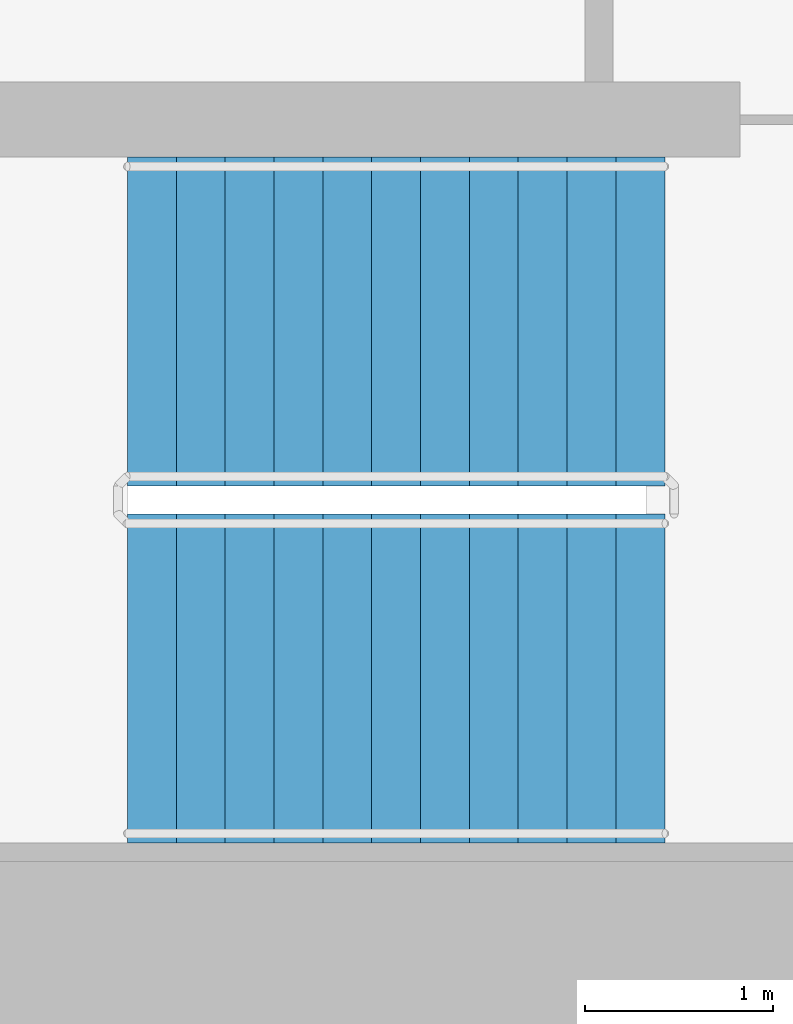
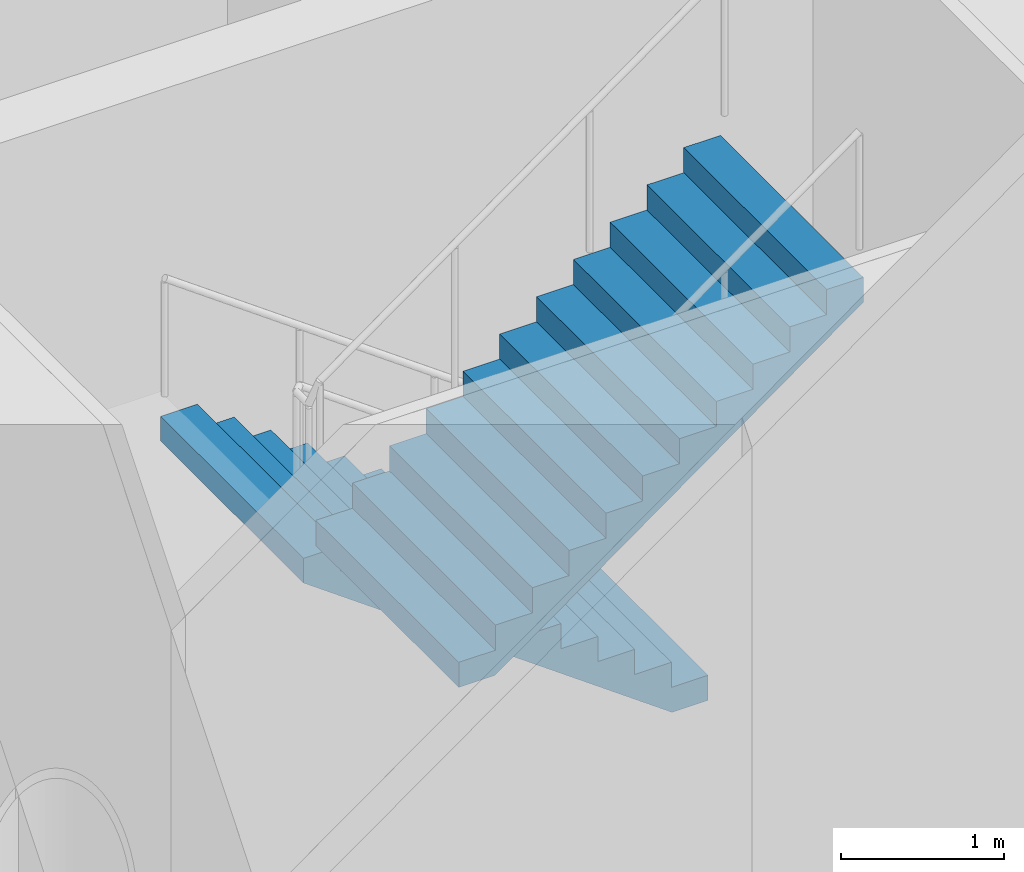
# One storey, part 19 of 27: 2 stair flights, 1 element without a shape of its own.
"""IFC4 building model written with IfcOpenShell, lengths in metres."""

import ifcopenshell
import ifcopenshell.guid

model = None  # the IFC model being written
_history = None  # IfcOwnerHistory: only IFC2X3 demands one
_inside = {}  # id of a spatial element -> (the spatial element, [elements in it])
_under = {}  # id of a project, library or spatial element -> (it, [spatial elements below it])
_declared = {}  # id of a project -> (the project, [libraries it declares])
_typed = {}  # id of a type object -> (the type object, [elements of that type])
_made_of = {}  # id of a material, layer set ... -> (it, [elements and type objects made of it])


def new_model(schema):
    """Start an empty IFC model of exactly this schema.

    Asked for "IFC4X3", IfcOpenShell would pick the latest addendum, in which some entities
    have other attributes; the version numbers below select the first issue.
    IFC2X3 requires an IfcOwnerHistory on every rooted entity: one is made here for all.
    """
    global model, _history
    if schema == "IFC4X3":
        model = ifcopenshell.file(schema_version=(4, 3, 0, 0))
    else:
        model = ifcopenshell.file(schema=schema)
    _inside.clear()
    _under.clear()
    _declared.clear()
    _typed.clear()
    _made_of.clear()
    _history = None
    if model.schema == "IFC2X3":
        org = make("IfcOrganization", Name="unknown")
        user = make(
            "IfcPersonAndOrganization",
            ThePerson=make("IfcPerson", FamilyName="unknown"),
            TheOrganization=org,
        )
        app = make(
            "IfcApplication",
            ApplicationDeveloper=org,
            Version="unknown",
            ApplicationFullName="unknown",
            ApplicationIdentifier="unknown",
        )
        _history = make(
            "IfcOwnerHistory",
            OwningUser=user,
            OwningApplication=app,
            ChangeAction="ADDED",
            CreationDate=0,
        )
    return model


def make(cls, **values):
    """One entity of the class cls with the attributes given. An attribute that is None is left unset."""
    return model.create_entity(
        cls, **{name: value for name, value in values.items() if value is not None}
    )


def rooted(cls, **values):
    """An entity with a GlobalId (a new one), such as an element, a storey or a relation."""
    return make(cls, GlobalId=ifcopenshell.guid.new(), OwnerHistory=_history, **values)


def si_unit(unit_type, name, prefix=None):
    """IfcSIUnit, for example si_unit("LENGTHUNIT", "METRE", prefix="MILLI")."""
    return make("IfcSIUnit", UnitType=unit_type, Prefix=prefix, Name=name)


def assignment(units):
    """IfcUnitAssignment: the units of a project."""
    return None if units is None else make("IfcUnitAssignment", Units=units)


def point(xyz):
    """IfcCartesianPoint."""
    return None if xyz is None else make("IfcCartesianPoint", Coordinates=xyz)


def direction(xyz):
    """IfcDirection."""
    return None if xyz is None else make("IfcDirection", DirectionRatios=xyz)


def frame(location, z_axis=None, x_axis=None):
    """IfcAxis2Placement3D, a coordinate frame: its origin and axes. An axis left out is left unset."""
    return make(
        "IfcAxis2Placement3D",
        Location=point(location),
        Axis=direction(z_axis),
        RefDirection=direction(x_axis),
    )


def origin():
    """The frame at (0, 0, 0) with its axes left unset."""
    return frame((0.0, 0.0, 0.0))


def place(relative_to, where):
    """IfcLocalPlacement: puts the frame where relative to a parent placement (None: the world)."""
    return make(
        "IfcLocalPlacement", PlacementRelTo=relative_to, RelativePlacement=where
    )


def context(
    kind, dimensions, precision=None, world=None, true_north=None, identifier=None
):
    """IfcGeometricRepresentationContext, for example the 3D "Model" context."""
    return make(
        "IfcGeometricRepresentationContext",
        ContextIdentifier=identifier,
        ContextType=kind,
        CoordinateSpaceDimension=dimensions,
        Precision=precision,
        WorldCoordinateSystem=world,
        TrueNorth=true_north,
    )


def subcontext(parent, identifier, kind, view, scale=None):
    """IfcGeometricRepresentationSubContext, for example "Body" below "Model"."""
    return make(
        "IfcGeometricRepresentationSubContext",
        ContextIdentifier=identifier,
        ContextType=kind,
        ParentContext=parent,
        TargetScale=scale,
        TargetView=view,
    )


def project(units=None, contexts=None):
    """IfcProject with its units and contexts."""
    return rooted(
        "IfcProject",
        Name="project",
        RepresentationContexts=contexts,
        UnitsInContext=assignment(units),
    )


def spatial(cls, under=None, at=None, **own):
    """A site, building, storey or space (cls), placed at a placement, below another one or the project."""
    s = rooted(cls, ObjectPlacement=at, **own)
    if under is not None:
        _under.setdefault(under.id(), (under, []))[1].append(s)
    return s


def faces_of(points, faces, orient=None, outer=None):
    """IfcFace entities. A face is a list of loops; a loop is a list of indices into points, from 0.

    orient and outer hold one flag for each loop. By default every Orientation is true, the
    first loop of a face is its IfcFaceOuterBound and the others are IfcFaceBound.
    """
    made = []
    for i, loops in enumerate(faces):
        bounds = []
        for j, loop in enumerate(loops):
            is_outer = j == 0 if outer is None else outer[i][j]
            bounds.append(
                make(
                    "IfcFaceOuterBound" if is_outer else "IfcFaceBound",
                    Bound=make("IfcPolyLoop", Polygon=[points[k] for k in loop]),
                    Orientation=True if orient is None else orient[i][j],
                )
            )
        made.append(make("IfcFace", Bounds=bounds))
    return made


def faceted_brep(points, faces, orient=None, outer=None, voids=None):
    """IfcFacetedBrep: a solid bounded by flat faces; with voids (closed shells), ...WithVoids."""
    shared = [point(p) for p in points]
    hull = make("IfcClosedShell", CfsFaces=faces_of(shared, faces, orient, outer))
    if voids is None:
        return make("IfcFacetedBrep", Outer=hull)
    return make(
        "IfcFacetedBrepWithVoids",
        Outer=hull,
        Voids=[
            make(cls, CfsFaces=faces_of(shared, fs, o, b)) for cls, fs, o, b in voids
        ],
    )


def shape(context_of_items, identifier, shape_type, items):
    """IfcShapeRepresentation: the items that make up one representation, for example the "Body"."""
    return make(
        "IfcShapeRepresentation",
        ContextOfItems=context_of_items,
        RepresentationIdentifier=identifier,
        RepresentationType=shape_type,
        Items=items,
    )


def material(Name=None, Category=None):
    """IfcMaterial."""
    return make("IfcMaterial", Name=Name, Category=Category)


def made_of(thing, what):
    """Note that an element or type object is made of a material, layer set ...; save() writes the relation."""
    if what is not None:
        _made_of.setdefault(what.id(), (what, []))[1].append(thing)
    return thing


def type_object(cls, material=None, **own):
    """A type object (cls), such as IfcWallType, which elements share."""
    return made_of(rooted(cls, **own), material)


def element(
    cls,
    number,
    at=None,
    inside=None,
    cuts=None,
    type_object=None,
    material=None,
    context=None,
    identifier="Body",
    shape_type=None,
    held_by="IfcProductDefinitionShape",
    body=None,
    shapes=None,
    **own,
):
    """One element of the class cls, such as IfcWall. Its Tag is "e" and its number.

    at: its placement. inside: the storey or other place that contains it. cuts: it is an
    opening in that element (IfcRelVoidsElement). A single representation is given by context,
    identifier, shape_type and body (its items); several are given by shapes. held_by: the class
    of the entity that holds the representations. save() writes the other relations.
    """
    e = rooted(cls, Tag="e%d" % number, ObjectPlacement=at, **own)
    if body is not None:
        shapes = [shape(context, identifier, shape_type, body)]
    if shapes is not None:
        e.Representation = make(held_by, Representations=shapes)
    if inside is not None:
        _inside.setdefault(inside.id(), (inside, []))[1].append(e)
    if cuts is not None:
        rooted(
            "IfcRelVoidsElement", RelatingBuildingElement=cuts, RelatedOpeningElement=e
        )
    if type_object is not None:
        _typed.setdefault(type_object.id(), (type_object, []))[1].append(e)
    return made_of(e, material)


def aggregate(whole, parts):
    """IfcRelAggregates: a whole, such as a stair, and the parts it consists of."""
    return rooted("IfcRelAggregates", RelatingObject=whole, RelatedObjects=parts)


def save(model, path):
    """Write the relations noted so far, then the file.

    IfcRelAggregates (storeys below a building ...), IfcRelContainedInSpatialStructure (elements
    in a storey), IfcRelDefinesByType, IfcRelAssociatesMaterial and IfcRelDeclares: one each for
    every whole, place, type object, material and project.
    """
    for whole, parts in _under.values():
        aggregate(whole, parts)
    for where, things in _inside.values():
        rooted(
            "IfcRelContainedInSpatialStructure",
            RelatedElements=things,
            RelatingStructure=where,
        )
    for kind, things in _typed.values():
        rooted("IfcRelDefinesByType", RelatedObjects=things, RelatingType=kind)
    for what, things in _made_of.values():
        rooted("IfcRelAssociatesMaterial", RelatedObjects=things, RelatingMaterial=what)
    for by, libraries in _declared.values():
        rooted("IfcRelDeclares", RelatingContext=by, RelatedDefinitions=libraries)
    model.write(path)


model = new_model("IFC4")

# Units and contexts
model_context = context("Model", 3, precision=1e-05, world=origin(), true_north=direction((0.0, 1.0)))
body_context = subcontext(model_context, "Body", "Model", "MODEL_VIEW")
ifc_project = project(units=[si_unit("LENGTHUNIT", "METRE"), si_unit("AREAUNIT", "SQUARE_METRE"), si_unit("VOLUMEUNIT", "CUBIC_METRE"), si_unit("PLANEANGLEUNIT", "RADIAN"), si_unit("MASSUNIT", "GRAM", prefix="KILO")], contexts=[model_context])

# Site, building, storey
site_placement = place(None, origin())
site = spatial("IfcSite", under=ifc_project, at=site_placement, CompositionType="ELEMENT")
building_placement = place(site_placement, origin())
building = spatial("IfcBuilding", under=site, at=building_placement, Name="Ipe Terrace Towers", CompositionType="ELEMENT")
storey_placement = place(building_placement, frame((0.0, 0.0, 72.10009765625)))
storey = spatial("IfcBuildingStorey", under=building, at=storey_placement, Name="L19", CompositionType="ELEMENT", Elevation=72.10009765625)

# Stair, stair flights
ifc_material_1 = material(Name="Concrete C30/37", Category="concrete")
stair_type = type_object("IfcStairType", Name="Protected exit stair", PredefinedType="HALF_TURN_STAIR", material=ifc_material_1)
stair_placement = place(storey_placement, origin())
stair = element("IfcStair", 1, at=stair_placement, inside=storey, type_object=stair_type, Name="L19 Exit stair T1-C2", PredefinedType="HALF_TURN_STAIR")
ifc_material_2 = material(Name="Concrete C30/37", Category="concrete")
stair_flight_type = type_object("IfcStairFlightType", Name="Exit stair flight 1750", PredefinedType="STRAIGHT", material=ifc_material_2)
stair_flight_1_placement = place(storey_placement, frame((-45.699951171875, -2.77490234375, 0.0), z_axis=(0.0, 0.0, 1.0), x_axis=(-1.0, 0.0, 0.0)))
stair_flight_1 = element("IfcStairFlight", 2, at=stair_flight_1_placement, type_object=stair_flight_type, Name="T1-ST2 flight 1", NumberOfRisers=12, NumberOfTreads=11, PredefinedType="STRAIGHT", RiserHeight=0.1875, TreadLength=0.26, context=body_context, shape_type="Brep", body=[
    faceted_brep([(0.25634765625, -0.875, 0.0), (2.860107421875, -0.875, 1.877685546875), (2.860107421875, -0.875, 2.0625), (2.60009765625, -0.875, 2.0625), (2.60009765625, -0.875, 1.875), (2.340087890625, -0.875, 1.875), (2.340087890625, -0.875, 1.6875), (2.080078125, -0.875, 1.6875), (2.080078125, -0.875, 1.5), (1.820068359375, -0.875, 1.5), (1.820068359375, -0.875, 1.3125), (1.56005859375, -0.875, 1.3125), (1.56005859375, -0.875, 1.125), (1.300048828125, -0.875, 1.125), (1.300048828125, -0.875, 0.9375), (1.0400390625, -0.875, 0.9375), (1.0400390625, -0.875, 0.75), (0.780029296875, -0.875, 0.75), (0.780029296875, -0.875, 0.5625), (0.52001953125, -0.875, 0.5625), (0.52001953125, -0.875, 0.375), (0.260009765625, -0.875, 0.375), (0.260009765625, -0.875, 0.1875), (0.0, -0.875, 0.1875), (0.0, -0.875, 0.0), (0.0, 0.875, 0.0), (0.0, 0.875, 0.1875), (0.260009765625, 0.875, 0.1875), (0.260009765625, 0.875, 0.375), (0.52001953125, 0.875, 0.375), (0.52001953125, 0.875, 0.5625), (0.780029296875, 0.875, 0.5625), (0.780029296875, 0.875, 0.75), (1.0400390625, 0.875, 0.75), (1.0400390625, 0.875, 0.9375), (1.300048828125, 0.875, 0.9375), (1.300048828125, 0.875, 1.125), (1.56005859375, 0.875, 1.125), (1.56005859375, 0.875, 1.3125), (1.820068359375, 0.875, 1.3125), (1.820068359375, 0.875, 1.5), (2.080078125, 0.875, 1.5), (2.080078125, 0.875, 1.6875), (2.340087890625, 0.875, 1.6875), (2.340087890625, 0.875, 1.875), (2.60009765625, 0.875, 1.875), (2.60009765625, 0.875, 2.0625), (2.860107421875, 0.875, 2.0625), (2.860107421875, 0.875, 1.877685546875), (0.25634765625, 0.875, 0.0), (0.0, -0.300048828125, 0.1875), (0.0, -0.1201171875, 0.1875), (0.0, -0.06005859375, 0.1875), (0.0, -0.030029296875, 0.1875), (0.0, -0.010009765625, 0.1875), (0.0, 0.0, 0.1875), (0.0, 0.010009765625, 0.1875), (0.0, 0.030029296875, 0.1875), (0.0, 0.06005859375, 0.1875), (0.0, 0.1201171875, 0.1875), (0.0, 0.300048828125, 0.1875), (0.0, 0.300048828125, 0.0), (0.0, 0.1201171875, 0.0), (0.0, 0.06005859375, 0.0), (0.0, 0.030029296875, 0.0), (0.0, 0.010009765625, 0.0), (0.0, 0.0, 0.0), (0.0, -0.010009765625, 0.0), (0.0, -0.030029296875, 0.0), (0.0, -0.06005859375, 0.0), (0.0, -0.1201171875, 0.0), (0.0, -0.300048828125, 0.0), (0.260009765625, -0.300048828125, 0.1875), (0.260009765625, -0.1201171875, 0.1875), (0.260009765625, -0.06005859375, 0.1875), (0.260009765625, -0.030029296875, 0.1875), (0.260009765625, -0.010009765625, 0.1875), (0.260009765625, 0.0, 0.1875), (0.260009765625, 0.010009765625, 0.1875), (0.260009765625, 0.030029296875, 0.1875), (0.260009765625, 0.06005859375, 0.1875), (0.260009765625, 0.1201171875, 0.1875), (0.260009765625, 0.300048828125, 0.1875), (0.260009765625, -0.300048828125, 0.375), (0.260009765625, -0.1201171875, 0.375), (0.260009765625, -0.06005859375, 0.375), (0.260009765625, -0.030029296875, 0.375), (0.260009765625, -0.010009765625, 0.375), (0.260009765625, 0.0, 0.375), (0.260009765625, 0.010009765625, 0.375), (0.260009765625, 0.030029296875, 0.375), (0.260009765625, 0.06005859375, 0.375), (0.260009765625, 0.1201171875, 0.375), (0.260009765625, 0.300048828125, 0.375), (0.52001953125, -0.300048828125, 0.375), (0.52001953125, -0.1201171875, 0.375), (0.52001953125, -0.06005859375, 0.375), (0.52001953125, -0.030029296875, 0.375), (0.52001953125, -0.010009765625, 0.375), (0.52001953125, 0.0, 0.375), (0.52001953125, 0.010009765625, 0.375), (0.52001953125, 0.030029296875, 0.375), (0.52001953125, 0.06005859375, 0.375), (0.52001953125, 0.1201171875, 0.375), (0.52001953125, 0.300048828125, 0.375), (0.52001953125, -0.300048828125, 0.5625), (0.52001953125, -0.1201171875, 0.5625), (0.52001953125, -0.06005859375, 0.5625), (0.52001953125, -0.030029296875, 0.5625), (0.52001953125, -0.010009765625, 0.5625), (0.52001953125, 0.0, 0.5625), (0.52001953125, 0.010009765625, 0.5625), (0.52001953125, 0.030029296875, 0.5625), (0.52001953125, 0.06005859375, 0.5625), (0.52001953125, 0.1201171875, 0.5625), (0.52001953125, 0.300048828125, 0.5625), (0.780029296875, -0.300048828125, 0.5625), (0.780029296875, -0.1201171875, 0.5625), (0.780029296875, -0.06005859375, 0.5625), (0.780029296875, -0.030029296875, 0.5625), (0.780029296875, -0.010009765625, 0.5625), (0.780029296875, 0.0, 0.5625), (0.780029296875, 0.010009765625, 0.5625), (0.780029296875, 0.030029296875, 0.5625), (0.780029296875, 0.06005859375, 0.5625), (0.780029296875, 0.1201171875, 0.5625), (0.780029296875, 0.300048828125, 0.5625), (0.780029296875, -0.300048828125, 0.75), (0.780029296875, -0.1201171875, 0.75), (0.780029296875, -0.06005859375, 0.75), (0.780029296875, -0.030029296875, 0.75), (0.780029296875, -0.010009765625, 0.75), (0.780029296875, 0.0, 0.75), (0.780029296875, 0.010009765625, 0.75), (0.780029296875, 0.030029296875, 0.75), (0.780029296875, 0.06005859375, 0.75), (0.780029296875, 0.1201171875, 0.75), (0.780029296875, 0.300048828125, 0.75), (1.0400390625, -0.300048828125, 0.75), (1.0400390625, -0.1201171875, 0.75), (1.0400390625, -0.06005859375, 0.75), (1.0400390625, -0.030029296875, 0.75), (1.0400390625, -0.010009765625, 0.75), (1.0400390625, 0.0, 0.75), (1.0400390625, 0.010009765625, 0.75), (1.0400390625, 0.030029296875, 0.75), (1.0400390625, 0.06005859375, 0.75), (1.0400390625, 0.1201171875, 0.75), (1.0400390625, 0.300048828125, 0.75), (1.0400390625, -0.300048828125, 0.9375), (1.0400390625, -0.1201171875, 0.9375), (1.0400390625, -0.06005859375, 0.9375), (1.0400390625, -0.030029296875, 0.9375), (1.0400390625, -0.010009765625, 0.9375), (1.0400390625, 0.0, 0.9375), (1.0400390625, 0.010009765625, 0.9375), (1.0400390625, 0.030029296875, 0.9375), (1.0400390625, 0.06005859375, 0.9375), (1.0400390625, 0.1201171875, 0.9375), (1.0400390625, 0.300048828125, 0.9375), (1.300048828125, -0.300048828125, 0.9375), (1.300048828125, -0.1201171875, 0.9375), (1.300048828125, -0.06005859375, 0.9375), (1.300048828125, -0.030029296875, 0.9375), (1.300048828125, -0.010009765625, 0.9375), (1.300048828125, 0.0, 0.9375), (1.300048828125, 0.010009765625, 0.9375), (1.300048828125, 0.030029296875, 0.9375), (1.300048828125, 0.06005859375, 0.9375), (1.300048828125, 0.1201171875, 0.9375), (1.300048828125, 0.300048828125, 0.9375), (1.300048828125, -0.300048828125, 1.125), (1.300048828125, -0.1201171875, 1.125), (1.300048828125, -0.06005859375, 1.125), (1.300048828125, -0.030029296875, 1.125), (1.300048828125, -0.010009765625, 1.125), (1.300048828125, 0.0, 1.125), (1.300048828125, 0.010009765625, 1.125), (1.300048828125, 0.030029296875, 1.125), (1.300048828125, 0.06005859375, 1.125), (1.300048828125, 0.1201171875, 1.125), (1.300048828125, 0.300048828125, 1.125), (1.56005859375, -0.300048828125, 1.125), (1.56005859375, -0.1201171875, 1.125), (1.56005859375, -0.06005859375, 1.125), (1.56005859375, -0.030029296875, 1.125), (1.56005859375, -0.010009765625, 1.125), (1.56005859375, 0.0, 1.125), (1.56005859375, 0.010009765625, 1.125), (1.56005859375, 0.030029296875, 1.125), (1.56005859375, 0.06005859375, 1.125), (1.56005859375, 0.1201171875, 1.125), (1.56005859375, 0.300048828125, 1.125), (1.56005859375, -0.300048828125, 1.3125), (1.56005859375, -0.1201171875, 1.3125), (1.56005859375, -0.06005859375, 1.3125), (1.56005859375, -0.030029296875, 1.3125), (1.56005859375, -0.010009765625, 1.3125), (1.56005859375, 0.0, 1.3125), (1.56005859375, 0.010009765625, 1.3125), (1.56005859375, 0.030029296875, 1.3125), (1.56005859375, 0.06005859375, 1.3125), (1.56005859375, 0.1201171875, 1.3125), (1.56005859375, 0.300048828125, 1.3125), (1.820068359375, -0.300048828125, 1.3125), (1.820068359375, -0.1201171875, 1.3125), (1.820068359375, -0.06005859375, 1.3125), (1.820068359375, -0.030029296875, 1.3125), (1.820068359375, -0.010009765625, 1.3125), (1.820068359375, 0.0, 1.3125), (1.820068359375, 0.010009765625, 1.3125), (1.820068359375, 0.030029296875, 1.3125), (1.820068359375, 0.06005859375, 1.3125), (1.820068359375, 0.1201171875, 1.3125), (1.820068359375, 0.300048828125, 1.3125), (1.820068359375, -0.300048828125, 1.5), (1.820068359375, -0.1201171875, 1.5), (1.820068359375, -0.06005859375, 1.5), (1.820068359375, -0.030029296875, 1.5), (1.820068359375, -0.010009765625, 1.5), (1.820068359375, 0.0, 1.5), (1.820068359375, 0.010009765625, 1.5), (1.820068359375, 0.030029296875, 1.5), (1.820068359375, 0.06005859375, 1.5), (1.820068359375, 0.1201171875, 1.5), (1.820068359375, 0.300048828125, 1.5), (2.080078125, -0.300048828125, 1.5), (2.080078125, -0.1201171875, 1.5), (2.080078125, -0.06005859375, 1.5), (2.080078125, -0.030029296875, 1.5), (2.080078125, -0.010009765625, 1.5), (2.080078125, 0.0, 1.5), (2.080078125, 0.010009765625, 1.5), (2.080078125, 0.030029296875, 1.5), (2.080078125, 0.06005859375, 1.5), (2.080078125, 0.1201171875, 1.5), (2.080078125, 0.300048828125, 1.5), (2.080078125, -0.300048828125, 1.6875), (2.080078125, -0.1201171875, 1.6875), (2.080078125, -0.06005859375, 1.6875), (2.080078125, -0.030029296875, 1.6875), (2.080078125, -0.010009765625, 1.6875), (2.080078125, 0.0, 1.6875), (2.080078125, 0.010009765625, 1.6875), (2.080078125, 0.030029296875, 1.6875), (2.080078125, 0.06005859375, 1.6875), (2.080078125, 0.1201171875, 1.6875), (2.080078125, 0.300048828125, 1.6875), (2.340087890625, -0.300048828125, 1.6875), (2.340087890625, -0.1201171875, 1.6875), (2.340087890625, -0.06005859375, 1.6875), (2.340087890625, -0.030029296875, 1.6875), (2.340087890625, -0.010009765625, 1.6875), (2.340087890625, 0.0, 1.6875), (2.340087890625, 0.010009765625, 1.6875), (2.340087890625, 0.030029296875, 1.6875), (2.340087890625, 0.06005859375, 1.6875), (2.340087890625, 0.1201171875, 1.6875), (2.340087890625, 0.300048828125, 1.6875), (2.340087890625, -0.300048828125, 1.875), (2.340087890625, -0.1201171875, 1.875), (2.340087890625, -0.06005859375, 1.875), (2.340087890625, -0.030029296875, 1.875), (2.340087890625, -0.010009765625, 1.875), (2.340087890625, 0.0, 1.875), (2.340087890625, 0.010009765625, 1.875), (2.340087890625, 0.030029296875, 1.875), (2.340087890625, 0.06005859375, 1.875), (2.340087890625, 0.1201171875, 1.875), (2.340087890625, 0.300048828125, 1.875), (2.60009765625, -0.300048828125, 1.875), (2.60009765625, -0.1201171875, 1.875), (2.60009765625, -0.06005859375, 1.875), (2.60009765625, -0.030029296875, 1.875), (2.60009765625, -0.010009765625, 1.875), (2.60009765625, 0.0, 1.875), (2.60009765625, 0.010009765625, 1.875), (2.60009765625, 0.030029296875, 1.875), (2.60009765625, 0.06005859375, 1.875), (2.60009765625, 0.1201171875, 1.875), (2.60009765625, 0.300048828125, 1.875), (2.60009765625, -0.300048828125, 2.0625), (2.60009765625, -0.1201171875, 2.0625), (2.60009765625, -0.06005859375, 2.0625), (2.60009765625, -0.030029296875, 2.0625), (2.60009765625, -0.010009765625, 2.0625), (2.60009765625, 0.0, 2.0625), (2.60009765625, 0.010009765625, 2.0625), (2.60009765625, 0.030029296875, 2.0625), (2.60009765625, 0.06005859375, 2.0625), (2.60009765625, 0.1201171875, 2.0625), (2.60009765625, 0.300048828125, 2.0625), (2.860107421875, -0.300048828125, 2.0625), (2.860107421875, -0.1201171875, 2.0625), (2.860107421875, -0.06005859375, 2.0625), (2.860107421875, -0.030029296875, 2.0625), (2.860107421875, -0.010009765625, 2.0625), (2.860107421875, 0.0, 2.0625), (2.860107421875, 0.010009765625, 2.0625), (2.860107421875, 0.030029296875, 2.0625), (2.860107421875, 0.06005859375, 2.0625), (2.860107421875, 0.1201171875, 2.0625), (2.860107421875, 0.300048828125, 2.0625), (2.860107421875, -0.300048828125, 1.877685546875), (2.860107421875, -0.1201171875, 1.877685546875), (2.860107421875, -0.06005859375, 1.877685546875), (2.860107421875, -0.030029296875, 1.877685546875), (2.860107421875, -0.010009765625, 1.877685546875), (2.860107421875, 0.0, 1.877685546875), (2.860107421875, 0.010009765625, 1.877685546875), (2.860107421875, 0.030029296875, 1.877685546875), (2.860107421875, 0.06005859375, 1.877685546875), (2.860107421875, 0.1201171875, 1.877685546875), (2.860107421875, 0.300048828125, 1.877685546875), (0.25634765625, -0.300048828125, 0.0), (0.25634765625, -0.1201171875, 0.0), (0.25634765625, -0.06005859375, 0.0), (0.25634765625, -0.030029296875, 0.0), (0.25634765625, -0.010009765625, 0.0), (0.25634765625, 0.0, 0.0), (0.25634765625, 0.010009765625, 0.0), (0.25634765625, 0.030029296875, 0.0), (0.25634765625, 0.06005859375, 0.0), (0.25634765625, 0.1201171875, 0.0), (0.25634765625, 0.300048828125, 0.0)], [[[0, 1, 2, 3, 4, 5, 6, 7, 8, 9, 10, 11, 12, 13, 14, 15, 16, 17, 18, 19, 20, 21, 22, 23, 24]], [[25, 26, 27, 28, 29, 30, 31, 32, 33, 34, 35, 36, 37, 38, 39, 40, 41, 42, 43, 44, 45, 46, 47, 48, 49]], [[23, 50, 51, 52, 53, 54, 55, 56, 57, 58, 59, 60, 26, 25, 61, 62, 63, 64, 65, 66, 67, 68, 69, 70, 71, 24]], [[22, 72, 73, 74, 75, 76, 77, 78, 79, 80, 81, 82, 27, 26, 60, 59, 58, 57, 56, 55, 54, 53, 52, 51, 50, 23]], [[21, 83, 84, 85, 86, 87, 88, 89, 90, 91, 92, 93, 28, 27, 82, 81, 80, 79, 78, 77, 76, 75, 74, 73, 72, 22]], [[20, 94, 95, 96, 97, 98, 99, 100, 101, 102, 103, 104, 29, 28, 93, 92, 91, 90, 89, 88, 87, 86, 85, 84, 83, 21]], [[19, 105, 106, 107, 108, 109, 110, 111, 112, 113, 114, 115, 30, 29, 104, 103, 102, 101, 100, 99, 98, 97, 96, 95, 94, 20]], [[18, 116, 117, 118, 119, 120, 121, 122, 123, 124, 125, 126, 31, 30, 115, 114, 113, 112, 111, 110, 109, 108, 107, 106, 105, 19]], [[17, 127, 128, 129, 130, 131, 132, 133, 134, 135, 136, 137, 32, 31, 126, 125, 124, 123, 122, 121, 120, 119, 118, 117, 116, 18]], [[16, 138, 139, 140, 141, 142, 143, 144, 145, 146, 147, 148, 33, 32, 137, 136, 135, 134, 133, 132, 131, 130, 129, 128, 127, 17]], [[15, 149, 150, 151, 152, 153, 154, 155, 156, 157, 158, 159, 34, 33, 148, 147, 146, 145, 144, 143, 142, 141, 140, 139, 138, 16]], [[14, 160, 161, 162, 163, 164, 165, 166, 167, 168, 169, 170, 35, 34, 159, 158, 157, 156, 155, 154, 153, 152, 151, 150, 149, 15]], [[13, 171, 172, 173, 174, 175, 176, 177, 178, 179, 180, 181, 36, 35, 170, 169, 168, 167, 166, 165, 164, 163, 162, 161, 160, 14]], [[12, 182, 183, 184, 185, 186, 187, 188, 189, 190, 191, 192, 37, 36, 181, 180, 179, 178, 177, 176, 175, 174, 173, 172, 171, 13]], [[11, 193, 194, 195, 196, 197, 198, 199, 200, 201, 202, 203, 38, 37, 192, 191, 190, 189, 188, 187, 186, 185, 184, 183, 182, 12]], [[10, 204, 205, 206, 207, 208, 209, 210, 211, 212, 213, 214, 39, 38, 203, 202, 201, 200, 199, 198, 197, 196, 195, 194, 193, 11]], [[9, 215, 216, 217, 218, 219, 220, 221, 222, 223, 224, 225, 40, 39, 214, 213, 212, 211, 210, 209, 208, 207, 206, 205, 204, 10]], [[8, 226, 227, 228, 229, 230, 231, 232, 233, 234, 235, 236, 41, 40, 225, 224, 223, 222, 221, 220, 219, 218, 217, 216, 215, 9]], [[7, 237, 238, 239, 240, 241, 242, 243, 244, 245, 246, 247, 42, 41, 236, 235, 234, 233, 232, 231, 230, 229, 228, 227, 226, 8]], [[6, 248, 249, 250, 251, 252, 253, 254, 255, 256, 257, 258, 43, 42, 247, 246, 245, 244, 243, 242, 241, 240, 239, 238, 237, 7]], [[5, 259, 260, 261, 262, 263, 264, 265, 266, 267, 268, 269, 44, 43, 258, 257, 256, 255, 254, 253, 252, 251, 250, 249, 248, 6]], [[4, 270, 271, 272, 273, 274, 275, 276, 277, 278, 279, 280, 45, 44, 269, 268, 267, 266, 265, 264, 263, 262, 261, 260, 259, 5]], [[3, 281, 282, 283, 284, 285, 286, 287, 288, 289, 290, 291, 46, 45, 280, 279, 278, 277, 276, 275, 274, 273, 272, 271, 270, 4]], [[2, 292, 293, 294, 295, 296, 297, 298, 299, 300, 301, 302, 47, 46, 291, 290, 289, 288, 287, 286, 285, 284, 283, 282, 281, 3]], [[1, 303, 304, 305, 306, 307, 308, 309, 310, 311, 312, 313, 48, 47, 302, 301, 300, 299, 298, 297, 296, 295, 294, 293, 292, 2]], [[0, 314, 315, 316, 317, 318, 319, 320, 321, 322, 323, 324, 49, 48, 313, 312, 311, 310, 309, 308, 307, 306, 305, 304, 303, 1]], [[24, 71, 70, 69, 68, 67, 66, 65, 64, 63, 62, 61, 25, 49, 324, 323, 322, 321, 320, 319, 318, 317, 316, 315, 314, 0]]]),
])
stair_flight_2_placement = place(storey_placement, frame((-48.56005859375, -4.675048828125, 2.25), z_axis=(0.0, 0.0, 1.0), x_axis=(1.0, 0.0, 0.0)))
stair_flight_2 = element("IfcStairFlight", 3, at=stair_flight_2_placement, type_object=stair_flight_type, Name="T1-ST2 flight 2", NumberOfRisers=12, NumberOfTreads=11, PredefinedType="STRAIGHT", RiserHeight=0.1875, TreadLength=0.26, context=body_context, shape_type="Brep", body=[
    faceted_brep([(0.25634765625, -0.875, 0.0), (2.860107421875, -0.875, 1.877685546875), (2.860107421875, -0.875, 2.0625), (2.60009765625, -0.875, 2.0625), (2.60009765625, -0.875, 1.875), (2.340087890625, -0.875, 1.875), (2.340087890625, -0.875, 1.6875), (2.080078125, -0.875, 1.6875), (2.080078125, -0.875, 1.5), (1.820068359375, -0.875, 1.5), (1.820068359375, -0.875, 1.3125), (1.56005859375, -0.875, 1.3125), (1.56005859375, -0.875, 1.125), (1.300048828125, -0.875, 1.125), (1.300048828125, -0.875, 0.9375), (1.0400390625, -0.875, 0.9375), (1.0400390625, -0.875, 0.75), (0.780029296875, -0.875, 0.75), (0.780029296875, -0.875, 0.5625), (0.52001953125, -0.875, 0.5625), (0.52001953125, -0.875, 0.375), (0.260009765625, -0.875, 0.375), (0.260009765625, -0.875, 0.1875), (0.0, -0.875, 0.1875), (0.0, -0.875, 0.0), (0.0, 0.875, 0.0), (0.0, 0.875, 0.1875), (0.260009765625, 0.875, 0.1875), (0.260009765625, 0.875, 0.375), (0.52001953125, 0.875, 0.375), (0.52001953125, 0.875, 0.5625), (0.780029296875, 0.875, 0.5625), (0.780029296875, 0.875, 0.75), (1.0400390625, 0.875, 0.75), (1.0400390625, 0.875, 0.9375), (1.300048828125, 0.875, 0.9375), (1.300048828125, 0.875, 1.125), (1.56005859375, 0.875, 1.125), (1.56005859375, 0.875, 1.3125), (1.820068359375, 0.875, 1.3125), (1.820068359375, 0.875, 1.5), (2.080078125, 0.875, 1.5), (2.080078125, 0.875, 1.6875), (2.340087890625, 0.875, 1.6875), (2.340087890625, 0.875, 1.875), (2.60009765625, 0.875, 1.875), (2.60009765625, 0.875, 2.0625), (2.860107421875, 0.875, 2.0625), (2.860107421875, 0.875, 1.877685546875), (0.25634765625, 0.875, 0.0), (0.0, -0.300048828125, 0.1875), (0.0, -0.1201171875, 0.1875), (0.0, -0.06005859375, 0.1875), (0.0, -0.030029296875, 0.1875), (0.0, -0.010009765625, 0.1875), (0.0, 0.0, 0.1875), (0.0, 0.010009765625, 0.1875), (0.0, 0.030029296875, 0.1875), (0.0, 0.06005859375, 0.1875), (0.0, 0.1201171875, 0.1875), (0.0, 0.300048828125, 0.1875), (0.0, 0.300048828125, 0.0), (0.0, 0.1201171875, 0.0), (0.0, 0.06005859375, 0.0), (0.0, 0.030029296875, 0.0), (0.0, 0.010009765625, 0.0), (0.0, 0.0, 0.0), (0.0, -0.010009765625, 0.0), (0.0, -0.030029296875, 0.0), (0.0, -0.06005859375, 0.0), (0.0, -0.1201171875, 0.0), (0.0, -0.300048828125, 0.0), (0.260009765625, -0.300048828125, 0.1875), (0.260009765625, -0.1201171875, 0.1875), (0.260009765625, -0.06005859375, 0.1875), (0.260009765625, -0.030029296875, 0.1875), (0.260009765625, -0.010009765625, 0.1875), (0.260009765625, 0.0, 0.1875), (0.260009765625, 0.010009765625, 0.1875), (0.260009765625, 0.030029296875, 0.1875), (0.260009765625, 0.06005859375, 0.1875), (0.260009765625, 0.1201171875, 0.1875), (0.260009765625, 0.300048828125, 0.1875), (0.260009765625, -0.300048828125, 0.375), (0.260009765625, -0.1201171875, 0.375), (0.260009765625, -0.06005859375, 0.375), (0.260009765625, -0.030029296875, 0.375), (0.260009765625, -0.010009765625, 0.375), (0.260009765625, 0.0, 0.375), (0.260009765625, 0.010009765625, 0.375), (0.260009765625, 0.030029296875, 0.375), (0.260009765625, 0.06005859375, 0.375), (0.260009765625, 0.1201171875, 0.375), (0.260009765625, 0.300048828125, 0.375), (0.52001953125, -0.300048828125, 0.375), (0.52001953125, -0.1201171875, 0.375), (0.52001953125, -0.06005859375, 0.375), (0.52001953125, -0.030029296875, 0.375), (0.52001953125, -0.010009765625, 0.375), (0.52001953125, 0.0, 0.375), (0.52001953125, 0.010009765625, 0.375), (0.52001953125, 0.030029296875, 0.375), (0.52001953125, 0.06005859375, 0.375), (0.52001953125, 0.1201171875, 0.375), (0.52001953125, 0.300048828125, 0.375), (0.52001953125, -0.300048828125, 0.5625), (0.52001953125, -0.1201171875, 0.5625), (0.52001953125, -0.06005859375, 0.5625), (0.52001953125, -0.030029296875, 0.5625), (0.52001953125, -0.010009765625, 0.5625), (0.52001953125, 0.0, 0.5625), (0.52001953125, 0.010009765625, 0.5625), (0.52001953125, 0.030029296875, 0.5625), (0.52001953125, 0.06005859375, 0.5625), (0.52001953125, 0.1201171875, 0.5625), (0.52001953125, 0.300048828125, 0.5625), (0.780029296875, -0.300048828125, 0.5625), (0.780029296875, -0.1201171875, 0.5625), (0.780029296875, -0.06005859375, 0.5625), (0.780029296875, -0.030029296875, 0.5625), (0.780029296875, -0.010009765625, 0.5625), (0.780029296875, 0.0, 0.5625), (0.780029296875, 0.010009765625, 0.5625), (0.780029296875, 0.030029296875, 0.5625), (0.780029296875, 0.06005859375, 0.5625), (0.780029296875, 0.1201171875, 0.5625), (0.780029296875, 0.300048828125, 0.5625), (0.780029296875, -0.300048828125, 0.75), (0.780029296875, -0.1201171875, 0.75), (0.780029296875, -0.06005859375, 0.75), (0.780029296875, -0.030029296875, 0.75), (0.780029296875, -0.010009765625, 0.75), (0.780029296875, 0.0, 0.75), (0.780029296875, 0.010009765625, 0.75), (0.780029296875, 0.030029296875, 0.75), (0.780029296875, 0.06005859375, 0.75), (0.780029296875, 0.1201171875, 0.75), (0.780029296875, 0.300048828125, 0.75), (1.0400390625, -0.300048828125, 0.75), (1.0400390625, -0.1201171875, 0.75), (1.0400390625, -0.06005859375, 0.75), (1.0400390625, -0.030029296875, 0.75), (1.0400390625, -0.010009765625, 0.75), (1.0400390625, 0.0, 0.75), (1.0400390625, 0.010009765625, 0.75), (1.0400390625, 0.030029296875, 0.75), (1.0400390625, 0.06005859375, 0.75), (1.0400390625, 0.1201171875, 0.75), (1.0400390625, 0.300048828125, 0.75), (1.0400390625, -0.300048828125, 0.9375), (1.0400390625, -0.1201171875, 0.9375), (1.0400390625, -0.06005859375, 0.9375), (1.0400390625, -0.030029296875, 0.9375), (1.0400390625, -0.010009765625, 0.9375), (1.0400390625, 0.0, 0.9375), (1.0400390625, 0.010009765625, 0.9375), (1.0400390625, 0.030029296875, 0.9375), (1.0400390625, 0.06005859375, 0.9375), (1.0400390625, 0.1201171875, 0.9375), (1.0400390625, 0.300048828125, 0.9375), (1.300048828125, -0.300048828125, 0.9375), (1.300048828125, -0.1201171875, 0.9375), (1.300048828125, -0.06005859375, 0.9375), (1.300048828125, -0.030029296875, 0.9375), (1.300048828125, -0.010009765625, 0.9375), (1.300048828125, 0.0, 0.9375), (1.300048828125, 0.010009765625, 0.9375), (1.300048828125, 0.030029296875, 0.9375), (1.300048828125, 0.06005859375, 0.9375), (1.300048828125, 0.1201171875, 0.9375), (1.300048828125, 0.300048828125, 0.9375), (1.300048828125, -0.300048828125, 1.125), (1.300048828125, -0.1201171875, 1.125), (1.300048828125, -0.06005859375, 1.125), (1.300048828125, -0.030029296875, 1.125), (1.300048828125, -0.010009765625, 1.125), (1.300048828125, 0.0, 1.125), (1.300048828125, 0.010009765625, 1.125), (1.300048828125, 0.030029296875, 1.125), (1.300048828125, 0.06005859375, 1.125), (1.300048828125, 0.1201171875, 1.125), (1.300048828125, 0.300048828125, 1.125), (1.56005859375, -0.300048828125, 1.125), (1.56005859375, -0.1201171875, 1.125), (1.56005859375, -0.06005859375, 1.125), (1.56005859375, -0.030029296875, 1.125), (1.56005859375, -0.010009765625, 1.125), (1.56005859375, 0.0, 1.125), (1.56005859375, 0.010009765625, 1.125), (1.56005859375, 0.030029296875, 1.125), (1.56005859375, 0.06005859375, 1.125), (1.56005859375, 0.1201171875, 1.125), (1.56005859375, 0.300048828125, 1.125), (1.56005859375, -0.300048828125, 1.3125), (1.56005859375, -0.1201171875, 1.3125), (1.56005859375, -0.06005859375, 1.3125), (1.56005859375, -0.030029296875, 1.3125), (1.56005859375, -0.010009765625, 1.3125), (1.56005859375, 0.0, 1.3125), (1.56005859375, 0.010009765625, 1.3125), (1.56005859375, 0.030029296875, 1.3125), (1.56005859375, 0.06005859375, 1.3125), (1.56005859375, 0.1201171875, 1.3125), (1.56005859375, 0.300048828125, 1.3125), (1.820068359375, -0.300048828125, 1.3125), (1.820068359375, -0.1201171875, 1.3125), (1.820068359375, -0.06005859375, 1.3125), (1.820068359375, -0.030029296875, 1.3125), (1.820068359375, -0.010009765625, 1.3125), (1.820068359375, 0.0, 1.3125), (1.820068359375, 0.010009765625, 1.3125), (1.820068359375, 0.030029296875, 1.3125), (1.820068359375, 0.06005859375, 1.3125), (1.820068359375, 0.1201171875, 1.3125), (1.820068359375, 0.300048828125, 1.3125), (1.820068359375, -0.300048828125, 1.5), (1.820068359375, -0.1201171875, 1.5), (1.820068359375, -0.06005859375, 1.5), (1.820068359375, -0.030029296875, 1.5), (1.820068359375, -0.010009765625, 1.5), (1.820068359375, 0.0, 1.5), (1.820068359375, 0.010009765625, 1.5), (1.820068359375, 0.030029296875, 1.5), (1.820068359375, 0.06005859375, 1.5), (1.820068359375, 0.1201171875, 1.5), (1.820068359375, 0.300048828125, 1.5), (2.080078125, -0.300048828125, 1.5), (2.080078125, -0.1201171875, 1.5), (2.080078125, -0.06005859375, 1.5), (2.080078125, -0.030029296875, 1.5), (2.080078125, -0.010009765625, 1.5), (2.080078125, 0.0, 1.5), (2.080078125, 0.010009765625, 1.5), (2.080078125, 0.030029296875, 1.5), (2.080078125, 0.06005859375, 1.5), (2.080078125, 0.1201171875, 1.5), (2.080078125, 0.300048828125, 1.5), (2.080078125, -0.300048828125, 1.6875), (2.080078125, -0.1201171875, 1.6875), (2.080078125, -0.06005859375, 1.6875), (2.080078125, -0.030029296875, 1.6875), (2.080078125, -0.010009765625, 1.6875), (2.080078125, 0.0, 1.6875), (2.080078125, 0.010009765625, 1.6875), (2.080078125, 0.030029296875, 1.6875), (2.080078125, 0.06005859375, 1.6875), (2.080078125, 0.1201171875, 1.6875), (2.080078125, 0.300048828125, 1.6875), (2.340087890625, -0.300048828125, 1.6875), (2.340087890625, -0.1201171875, 1.6875), (2.340087890625, -0.06005859375, 1.6875), (2.340087890625, -0.030029296875, 1.6875), (2.340087890625, -0.010009765625, 1.6875), (2.340087890625, 0.0, 1.6875), (2.340087890625, 0.010009765625, 1.6875), (2.340087890625, 0.030029296875, 1.6875), (2.340087890625, 0.06005859375, 1.6875), (2.340087890625, 0.1201171875, 1.6875), (2.340087890625, 0.300048828125, 1.6875), (2.340087890625, -0.300048828125, 1.875), (2.340087890625, -0.1201171875, 1.875), (2.340087890625, -0.06005859375, 1.875), (2.340087890625, -0.030029296875, 1.875), (2.340087890625, -0.010009765625, 1.875), (2.340087890625, 0.0, 1.875), (2.340087890625, 0.010009765625, 1.875), (2.340087890625, 0.030029296875, 1.875), (2.340087890625, 0.06005859375, 1.875), (2.340087890625, 0.1201171875, 1.875), (2.340087890625, 0.300048828125, 1.875), (2.60009765625, -0.300048828125, 1.875), (2.60009765625, -0.1201171875, 1.875), (2.60009765625, -0.06005859375, 1.875), (2.60009765625, -0.030029296875, 1.875), (2.60009765625, -0.010009765625, 1.875), (2.60009765625, 0.0, 1.875), (2.60009765625, 0.010009765625, 1.875), (2.60009765625, 0.030029296875, 1.875), (2.60009765625, 0.06005859375, 1.875), (2.60009765625, 0.1201171875, 1.875), (2.60009765625, 0.300048828125, 1.875), (2.60009765625, -0.300048828125, 2.0625), (2.60009765625, -0.1201171875, 2.0625), (2.60009765625, -0.06005859375, 2.0625), (2.60009765625, -0.030029296875, 2.0625), (2.60009765625, -0.010009765625, 2.0625), (2.60009765625, 0.0, 2.0625), (2.60009765625, 0.010009765625, 2.0625), (2.60009765625, 0.030029296875, 2.0625), (2.60009765625, 0.06005859375, 2.0625), (2.60009765625, 0.1201171875, 2.0625), (2.60009765625, 0.300048828125, 2.0625), (2.860107421875, -0.300048828125, 2.0625), (2.860107421875, -0.1201171875, 2.0625), (2.860107421875, -0.06005859375, 2.0625), (2.860107421875, -0.030029296875, 2.0625), (2.860107421875, -0.010009765625, 2.0625), (2.860107421875, 0.0, 2.0625), (2.860107421875, 0.010009765625, 2.0625), (2.860107421875, 0.030029296875, 2.0625), (2.860107421875, 0.06005859375, 2.0625), (2.860107421875, 0.1201171875, 2.0625), (2.860107421875, 0.300048828125, 2.0625), (2.860107421875, -0.300048828125, 1.877685546875), (2.860107421875, -0.1201171875, 1.877685546875), (2.860107421875, -0.06005859375, 1.877685546875), (2.860107421875, -0.030029296875, 1.877685546875), (2.860107421875, -0.010009765625, 1.877685546875), (2.860107421875, 0.0, 1.877685546875), (2.860107421875, 0.010009765625, 1.877685546875), (2.860107421875, 0.030029296875, 1.877685546875), (2.860107421875, 0.06005859375, 1.877685546875), (2.860107421875, 0.1201171875, 1.877685546875), (2.860107421875, 0.300048828125, 1.877685546875), (0.25634765625, -0.300048828125, 0.0), (0.25634765625, -0.1201171875, 0.0), (0.25634765625, -0.06005859375, 0.0), (0.25634765625, -0.030029296875, 0.0), (0.25634765625, -0.010009765625, 0.0), (0.25634765625, 0.0, 0.0), (0.25634765625, 0.010009765625, 0.0), (0.25634765625, 0.030029296875, 0.0), (0.25634765625, 0.06005859375, 0.0), (0.25634765625, 0.1201171875, 0.0), (0.25634765625, 0.300048828125, 0.0)], [[[0, 1, 2, 3, 4, 5, 6, 7, 8, 9, 10, 11, 12, 13, 14, 15, 16, 17, 18, 19, 20, 21, 22, 23, 24]], [[25, 26, 27, 28, 29, 30, 31, 32, 33, 34, 35, 36, 37, 38, 39, 40, 41, 42, 43, 44, 45, 46, 47, 48, 49]], [[23, 50, 51, 52, 53, 54, 55, 56, 57, 58, 59, 60, 26, 25, 61, 62, 63, 64, 65, 66, 67, 68, 69, 70, 71, 24]], [[22, 72, 73, 74, 75, 76, 77, 78, 79, 80, 81, 82, 27, 26, 60, 59, 58, 57, 56, 55, 54, 53, 52, 51, 50, 23]], [[21, 83, 84, 85, 86, 87, 88, 89, 90, 91, 92, 93, 28, 27, 82, 81, 80, 79, 78, 77, 76, 75, 74, 73, 72, 22]], [[20, 94, 95, 96, 97, 98, 99, 100, 101, 102, 103, 104, 29, 28, 93, 92, 91, 90, 89, 88, 87, 86, 85, 84, 83, 21]], [[19, 105, 106, 107, 108, 109, 110, 111, 112, 113, 114, 115, 30, 29, 104, 103, 102, 101, 100, 99, 98, 97, 96, 95, 94, 20]], [[18, 116, 117, 118, 119, 120, 121, 122, 123, 124, 125, 126, 31, 30, 115, 114, 113, 112, 111, 110, 109, 108, 107, 106, 105, 19]], [[17, 127, 128, 129, 130, 131, 132, 133, 134, 135, 136, 137, 32, 31, 126, 125, 124, 123, 122, 121, 120, 119, 118, 117, 116, 18]], [[16, 138, 139, 140, 141, 142, 143, 144, 145, 146, 147, 148, 33, 32, 137, 136, 135, 134, 133, 132, 131, 130, 129, 128, 127, 17]], [[15, 149, 150, 151, 152, 153, 154, 155, 156, 157, 158, 159, 34, 33, 148, 147, 146, 145, 144, 143, 142, 141, 140, 139, 138, 16]], [[14, 160, 161, 162, 163, 164, 165, 166, 167, 168, 169, 170, 35, 34, 159, 158, 157, 156, 155, 154, 153, 152, 151, 150, 149, 15]], [[13, 171, 172, 173, 174, 175, 176, 177, 178, 179, 180, 181, 36, 35, 170, 169, 168, 167, 166, 165, 164, 163, 162, 161, 160, 14]], [[12, 182, 183, 184, 185, 186, 187, 188, 189, 190, 191, 192, 37, 36, 181, 180, 179, 178, 177, 176, 175, 174, 173, 172, 171, 13]], [[11, 193, 194, 195, 196, 197, 198, 199, 200, 201, 202, 203, 38, 37, 192, 191, 190, 189, 188, 187, 186, 185, 184, 183, 182, 12]], [[10, 204, 205, 206, 207, 208, 209, 210, 211, 212, 213, 214, 39, 38, 203, 202, 201, 200, 199, 198, 197, 196, 195, 194, 193, 11]], [[9, 215, 216, 217, 218, 219, 220, 221, 222, 223, 224, 225, 40, 39, 214, 213, 212, 211, 210, 209, 208, 207, 206, 205, 204, 10]], [[8, 226, 227, 228, 229, 230, 231, 232, 233, 234, 235, 236, 41, 40, 225, 224, 223, 222, 221, 220, 219, 218, 217, 216, 215, 9]], [[7, 237, 238, 239, 240, 241, 242, 243, 244, 245, 246, 247, 42, 41, 236, 235, 234, 233, 232, 231, 230, 229, 228, 227, 226, 8]], [[6, 248, 249, 250, 251, 252, 253, 254, 255, 256, 257, 258, 43, 42, 247, 246, 245, 244, 243, 242, 241, 240, 239, 238, 237, 7]], [[5, 259, 260, 261, 262, 263, 264, 265, 266, 267, 268, 269, 44, 43, 258, 257, 256, 255, 254, 253, 252, 251, 250, 249, 248, 6]], [[4, 270, 271, 272, 273, 274, 275, 276, 277, 278, 279, 280, 45, 44, 269, 268, 267, 266, 265, 264, 263, 262, 261, 260, 259, 5]], [[3, 281, 282, 283, 284, 285, 286, 287, 288, 289, 290, 291, 46, 45, 280, 279, 278, 277, 276, 275, 274, 273, 272, 271, 270, 4]], [[2, 292, 293, 294, 295, 296, 297, 298, 299, 300, 301, 302, 47, 46, 291, 290, 289, 288, 287, 286, 285, 284, 283, 282, 281, 3]], [[1, 303, 304, 305, 306, 307, 308, 309, 310, 311, 312, 313, 48, 47, 302, 301, 300, 299, 298, 297, 296, 295, 294, 293, 292, 2]], [[0, 314, 315, 316, 317, 318, 319, 320, 321, 322, 323, 324, 49, 48, 313, 312, 311, 310, 309, 308, 307, 306, 305, 304, 303, 1]], [[24, 71, 70, 69, 68, 67, 66, 65, 64, 63, 62, 61, 25, 49, 324, 323, 322, 321, 320, 319, 318, 317, 316, 315, 314, 0]]]),
])
aggregate(stair, [stair_flight_1, stair_flight_2])

save(model, "model.ifc")
